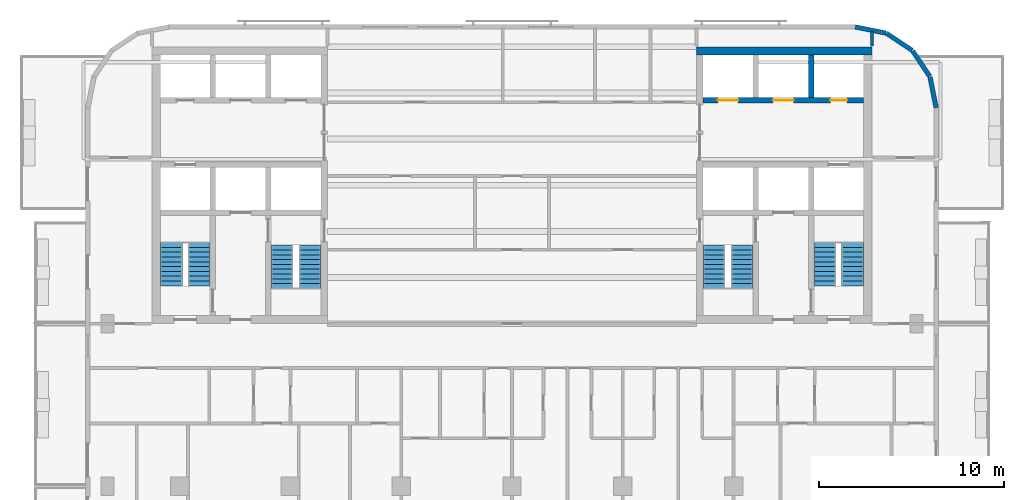
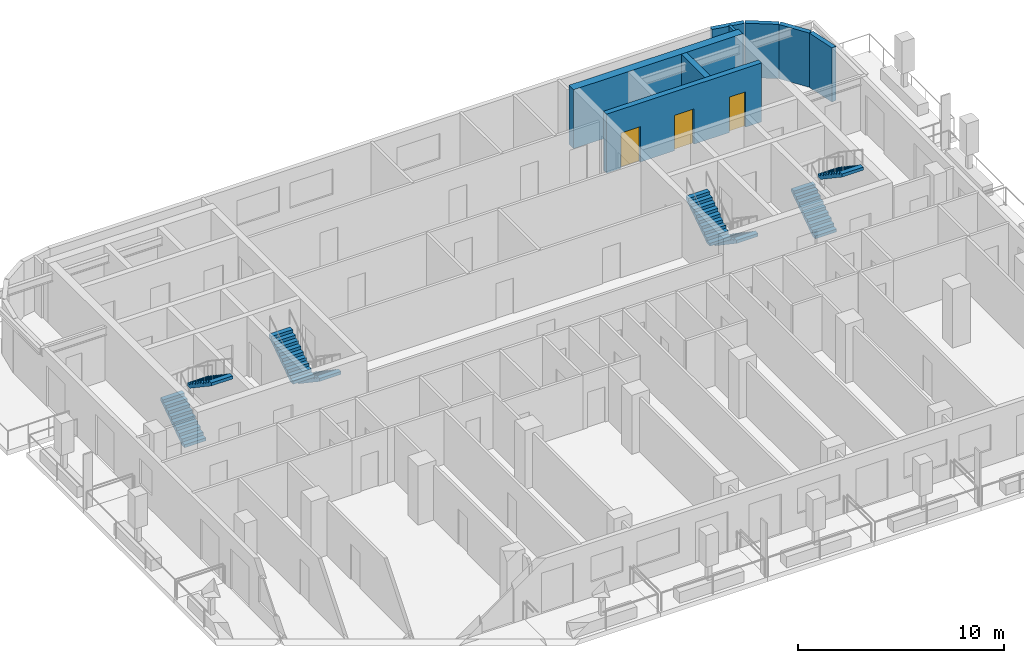
# One storey, part 7 of 11: 8 stair flights, 8 walls, 3 doors, 3 openings, 4 elements without a shape of their own.
"""IFC4 building model written with IfcOpenShell, lengths in metres."""

from ifc_helpers import new_model, si_unit, direction, frame, frame_2d, origin, place, context, subcontext, project, spatial, polyline, rectangle, outline, extrude, material, layer, layer_set, type_object, element, fill, aggregate, save


model = new_model("IFC4")

# Units and contexts
model_context = context("Model", 3, precision=1e-05, world=origin(), true_north=direction((0.0, 1.0)))
body_context = subcontext(model_context, "Body", "Model", "MODEL_VIEW")
ifc_project = project(units=[si_unit("LENGTHUNIT", "METRE"), si_unit("AREAUNIT", "SQUARE_METRE"), si_unit("VOLUMEUNIT", "CUBIC_METRE"), si_unit("PLANEANGLEUNIT", "RADIAN"), si_unit("MASSUNIT", "GRAM", prefix="KILO")], contexts=[model_context])

# Site, building, storey
site_placement = place(None, origin())
site = spatial("IfcSite", under=ifc_project, at=site_placement, CompositionType="ELEMENT")
building_placement = place(site_placement, origin())
building = spatial("IfcBuilding", under=site, at=building_placement, Name="Torana Hotel and Residences", CompositionType="ELEMENT")
storey_placement = place(building_placement, frame((0.0, 0.0, 277.10009765625)))
storey = spatial("IfcBuildingStorey", under=building, at=storey_placement, Name="L73", CompositionType="ELEMENT", Elevation=277.10009765625)

# Wall, openings, doors
ifc_material_1 = material(Name="Concrete C60/75", Category="concrete")
ifc_layer_1 = layer(ifc_material_1, 0.300048828125)
ifc_layer_set_1 = layer_set([ifc_layer_1], Name="CORE WALL 300 C60/75")
wall_type_1 = type_object("IfcWallType", Name="CORE WALL 300 C60/75", PredefinedType="SHEAR", material=ifc_layer_set_1)
wall_1_placement = place(storey_placement, frame((10.35009765625, -2.89990234375, 0.0), z_axis=(0.0, 0.0, 1.0), x_axis=(1.0, 0.0, 0.0)))
wall_1 = element("IfcWall", 1, at=wall_1_placement, inside=storey, type_object=wall_type_1, Name="Core wall E row-N", PredefinedType="SHEAR", context=body_context, shape_type="SweptSolid", body=[
    extrude(rectangle(XDim=8.699951171875, YDim=0.300048828125, at=frame_2d((4.35009765625, 0.0))), origin(), (0.0, 0.0, 1.0), 3.5),
])
opening_1_placement = place(wall_1_placement, frame((0.800048828125, 0.0, 0.0)))
opening_1 = element("IfcOpeningElement", 2, at=opening_1_placement, cuts=wall_1, Name="Opening LD", PredefinedType="OPENING", context=body_context, shape_type="SweptSolid", body=[
    extrude(rectangle(XDim=1.10009765625, YDim=2.10009765625, at=frame_2d((0.550048828125, 1.050048828125))), frame((0.0, 0.159912109375, 0.0), z_axis=(0.0, -1.0, 0.0), x_axis=(1.0, 0.0, 0.0)), (0.0, 0.0, 1.0), 0.320068359375),
])
opening_2_placement = place(wall_1_placement, frame((3.800048828125, 0.0, 0.0)))
opening_2 = element("IfcOpeningElement", 3, at=opening_2_placement, cuts=wall_1, Name="Opening LD", PredefinedType="OPENING", context=body_context, shape_type="SweptSolid", body=[
    extrude(rectangle(XDim=1.10009765625, YDim=2.10009765625, at=frame_2d((0.550048828125, 1.050048828125))), frame((0.0, 0.159912109375, 0.0), z_axis=(0.0, -1.0, 0.0), x_axis=(1.0, 0.0, 0.0)), (0.0, 0.0, 1.0), 0.320068359375),
])
opening_3_placement = place(wall_1_placement, frame((6.89990234375, 0.0, 0.0)))
opening_3 = element("IfcOpeningElement", 4, at=opening_3_placement, cuts=wall_1, Name="Opening L73-14", PredefinedType="OPENING", context=body_context, shape_type="SweptSolid", body=[
    extrude(rectangle(XDim=0.89990234375, YDim=2.10009765625, at=frame_2d((0.449951171875, 1.050048828125))), frame((0.0, 0.159912109375, 0.0), z_axis=(0.0, -1.0, 0.0), x_axis=(1.0, 0.0, 0.0)), (0.0, 0.0, 1.0), 0.320068359375),
])
ifc_material_2 = material(Name="Stainless steel 316", Category="steel")
door_type_1 = type_object("IfcDoorType", Name="LIFT LANDING DOOR LD 1100x2100", OperationType="DOUBLE_DOOR_SLIDING", PredefinedType="USERDEFINED", material=ifc_material_2)
door_1_placement = place(opening_1_placement, origin())
door_1 = element("IfcDoor", 5, at=door_1_placement, inside=storey, type_object=door_type_1, Name="Lift landing door H3 L73", ObjectType="LIFT LANDING DOOR", OperationType="DOUBLE_DOOR_SLIDING", OverallHeight=2.10009765625, OverallWidth=1.10009765625, PredefinedType="USERDEFINED", context=body_context, shape_type="SweptSolid", body=[
    extrude(rectangle(XDim=1.10009765625, YDim=2.10009765625, at=frame_2d((0.550048828125, 1.050048828125))), frame((0.0, 0.02490234375, 0.0), z_axis=(0.0, -1.0, 0.0), x_axis=(1.0, 0.0, 0.0)), (0.0, 0.0, 1.0), 0.050048828125),
])
fill(opening_1, door_1)
door_2_placement = place(opening_2_placement, origin())
door_2 = element("IfcDoor", 6, at=door_2_placement, inside=storey, type_object=door_type_1, Name="Lift landing door H4 L73", ObjectType="LIFT LANDING DOOR", OperationType="DOUBLE_DOOR_SLIDING", OverallHeight=2.10009765625, OverallWidth=1.10009765625, PredefinedType="USERDEFINED", context=body_context, shape_type="SweptSolid", body=[
    extrude(rectangle(XDim=1.10009765625, YDim=2.10009765625, at=frame_2d((0.550048828125, 1.050048828125))), frame((0.0, 0.02490234375, 0.0), z_axis=(0.0, -1.0, 0.0), x_axis=(1.0, 0.0, 0.0)), (0.0, 0.0, 1.0), 0.050048828125),
])
fill(opening_2, door_2)
ifc_material_3 = material(Name="Steel S235", Category="steel")
door_type_2 = type_object("IfcDoorType", Name="RISER ACCESS DOOR D5 900x2100", OperationType="SINGLE_SWING_LEFT", PredefinedType="DOOR", material=ifc_material_3)
door_3_placement = place(opening_3_placement, origin())
door_3 = element("IfcDoor", 7, at=door_3_placement, inside=storey, type_object=door_type_2, Name="N2 door L73", OperationType="SINGLE_SWING_RIGHT", OverallHeight=2.10009765625, OverallWidth=0.89990234375, PredefinedType="DOOR", context=body_context, shape_type="SweptSolid", body=[
    extrude(rectangle(XDim=0.89990234375, YDim=2.10009765625, at=frame_2d((0.449951171875, 1.050048828125))), frame((0.0, 0.02490234375, 0.0), z_axis=(0.0, -1.0, 0.0), x_axis=(1.0, 0.0, 0.0)), (0.0, 0.0, 1.0), 0.050048828125),
])
fill(opening_3, door_3)

# Walls
wall_2_placement = place(storey_placement, frame((16.199951171875, -2.75, 0.0), z_axis=(0.0, 0.0, 1.0), x_axis=(0.0, 1.0, 0.0)))
element("IfcWall", 8, at=wall_2_placement, inside=storey, type_object=wall_type_1, Name="Core wall E x6.05-N", PredefinedType="SHEAR", context=body_context, shape_type="SweptSolid", body=[
    extrude(rectangle(XDim=2.300048828125, YDim=0.300048828125, at=frame_2d((1.14990234375, 0.0))), origin(), (0.0, 0.0, 1.0), 3.5),
])
ifc_material_4 = material(Name="Concrete C60/75", Category="concrete")
ifc_layer_2 = layer(ifc_material_4, 0.449951171875)
ifc_layer_set_2 = layer_set([ifc_layer_2], Name="CORE WALL 450 C60/75")
wall_type_2 = type_object("IfcWallType", Name="CORE WALL 450 C60/75", PredefinedType="SHEAR", material=ifc_layer_set_2)
wall_3_placement = place(storey_placement, frame((10.0, -0.22509765625, 0.0), z_axis=(0.0, 0.0, 1.0), x_axis=(1.0, 0.0, 0.0)))
element("IfcWall", 9, at=wall_3_placement, inside=storey, type_object=wall_type_2, Name="Core wall E rear", PredefinedType="SHEAR", context=body_context, shape_type="SweptSolid", body=[
    extrude(rectangle(XDim=9.5, YDim=0.449951171875, at=frame_2d((4.75, 0.0))), origin(), (0.0, 0.0, 1.0), 3.5),
])
ifc_material_5 = material(Name="Black aluminium composite panel", Category="aluminium")
ifc_layer_3 = layer(ifc_material_5, 0.00390625, Name="Cladding", Category="cladding")
ifc_material_6 = material(Name="Ventilated air cavity")
ifc_layer_4 = layer(ifc_material_6, 0.0400390625, Name="Ventilated cavity", Category="cavity")
ifc_material_7 = material(Name="Mineral wool insulation")
ifc_layer_5 = layer(ifc_material_7, 0.090087890625, Name="Insulation", Category="insulation")
ifc_material_8 = material(Name="Steel S280GD", Category="steel")
ifc_layer_6 = layer(ifc_material_8, 0.092041015625, Name="Steel stud frame", Category="structure")
ifc_material_9 = material(Name="Fire rated plasterboard")
ifc_layer_7 = layer(ifc_material_9, 0.011962890625, Name="Inner board", Category="finish")
ifc_layer_8 = layer(ifc_material_9, 0.011962890625, Name="Second board", Category="finish")
ifc_layer_set_3 = layer_set([ifc_layer_3, ifc_layer_4, ifc_layer_5, ifc_layer_6, ifc_layer_7, ifc_layer_8], Name="EW1 EXTERNAL WALL BLACK METAL CLAD 250")
wall_type_3 = type_object("IfcWallType", Name="EW1 EXTERNAL WALL BLACK METAL CLAD 250", PredefinedType="SOLIDWALL", material=ifc_layer_set_3)
wall_4_placement = place(storey_placement, frame((22.97265625, -3.30029296875, 0.0), z_axis=(0.0, 0.0, 1.0), x_axis=(-0.19513878023, 0.980775640221, 0.0)))
element("IfcWall", 10, at=wall_4_placement, inside=storey, type_object=wall_type_3, Name="External wall L73 e0.0", PredefinedType="SOLIDWALL", context=body_context, shape_type="SweptSolid", body=[
    extrude(rectangle(XDim=1.681396484375, YDim=0.25, at=frame_2d((0.8408203125, 0.0))), origin(), (0.0, 0.0, 1.0), 3.219970703125),
])
for number, where, z_axis, x_axis, name in (
    (11, (22.6259765625, -1.60595703125, 0.0), (0.0, 0.0, 1.0), (-0.55555029066, 0.831482937015, 0.0), "External wall L73 e0.1"),
    (12, (21.671142578125, -0.1943359375, 0.0), (0.0, 0.0, 1.0), (-0.831482937015, 0.55555029066, 0.0), "External wall L73 e0.2"),
):
    element("IfcWall", number, at=place(storey_placement, frame(where, z_axis=z_axis, x_axis=x_axis)), inside=storey, type_object=wall_type_3, Name=name, PredefinedType="SOLIDWALL", context=body_context, shape_type="SweptSolid", body=[
        extrude(rectangle(XDim=1.65625, YDim=0.25, at=frame_2d((0.828125, 0.0))), origin(), (0.0, 0.0, 1.0), 3.219970703125),
    ])
wall_5_placement = place(storey_placement, frame((20.248779296875, 0.74462890625, 0.0), z_axis=(0.0, 0.0, 1.0), x_axis=(-0.980797896849, 0.195026884138, 0.0)))
element("IfcWall", 13, at=wall_5_placement, inside=storey, type_object=wall_type_3, Name="External wall L73 e0.3", PredefinedType="SOLIDWALL", context=body_context, shape_type="SweptSolid", body=[
    extrude(rectangle(XDim=1.68115234375, YDim=0.25, at=frame_2d((0.840576171875, 0.0))), origin(), (0.0, 0.0, 1.0), 3.219970703125),
])
ifc_material_10 = material(Name="Gypsum plasterboard")
ifc_layer_9 = layer(ifc_material_10, 0.012451171875, Name="Plasterboard", Category="finish")
ifc_layer_10 = layer(ifc_material_10, 0.012451171875, Name="Plasterboard", Category="finish")
ifc_layer_11 = layer(ifc_material_8, 0.10009765625, Name="Steel studs with mineral wool", Category="insulation")
ifc_layer_12 = layer(ifc_material_10, 0.012451171875, Name="Plasterboard", Category="finish")
ifc_layer_13 = layer(ifc_material_10, 0.012451171875, Name="Plasterboard", Category="finish")
ifc_layer_set_4 = layer_set([ifc_layer_9, ifc_layer_10, ifc_layer_11, ifc_layer_12, ifc_layer_13], Name="PARTITION 150 PLASTERBOARD")
wall_type_4 = type_object("IfcWallType", Name="PARTITION 150 PLASTERBOARD", PredefinedType="PARTITIONING", material=ifc_layer_set_4)
wall_6_placement = place(storey_placement, frame((19.5, 0.050048828125, 0.0), z_axis=(0.0, 0.0, 1.0), x_axis=(0.0, 1.0, 0.0)))
element("IfcWall", 14, at=wall_6_placement, inside=storey, type_object=wall_type_4, Name="Partition L73", PredefinedType="PARTITIONING", context=body_context, shape_type="SweptSolid", body=[
    extrude(rectangle(XDim=0.787353515625, YDim=0.14990234375, at=frame_2d((0.3935546875, 0.0))), origin(), (0.0, 0.0, 1.0), 3.219970703125),
])

# Stair, stair flights
ifc_material_11 = material(Name="Concrete C40/50 precast", Category="concrete")
stair_type_1 = type_object("IfcStairType", Name="STAIR ST1 HALF TURN 1200", PredefinedType="HALF_TURN_STAIR", material=ifc_material_11)
stair_1_placement = place(storey_placement, origin())
stair_1 = element("IfcStair", 15, at=stair_1_placement, inside=storey, type_object=stair_type_1, Name="Stair ST1 L73", PredefinedType="HALF_TURN_STAIR")
ifc_material_12 = material(Name="Concrete C40/50 precast", Category="concrete")
stair_flight_type = type_object("IfcStairFlightType", Name="STAIR FLIGHT 1200 PRECAST", PredefinedType="STRAIGHT", material=ifc_material_12)
stair_flight_1_placement = place(storey_placement, frame((-10.949951171875, -10.75, 0.0), z_axis=(0.0, 0.0, 1.0), x_axis=(0.0, -1.0, 0.0)))
stair_flight_1 = element("IfcStairFlight", 16, at=stair_flight_1_placement, type_object=stair_flight_type, Name="ST1 flight 1", NumberOfRisers=10, NumberOfTreads=9, PredefinedType="STRAIGHT", RiserHeight=0.175, TreadLength=0.26, context=body_context, shape_type="SweptSolid", body=[
    extrude(outline(polyline([(0.0, 0.0), (0.0, 0.175048828125), (0.260009765625, 0.175048828125), (0.260009765625, 0.35009765625), (0.52001953125, 0.35009765625), (0.52001953125, 0.52490234375), (0.780029296875, 0.52490234375), (0.780029296875, 0.699951171875), (1.0400390625, 0.699951171875), (1.0400390625, 0.875), (1.300048828125, 0.875), (1.300048828125, 1.050048828125), (1.56005859375, 1.050048828125), (1.56005859375, 1.22509765625), (1.820068359375, 1.22509765625), (1.820068359375, 1.39990234375), (2.080078125, 1.39990234375), (2.080078125, 1.574951171875), (2.340087890625, 1.574951171875), (2.340087890625, 1.75), (2.340087890625, 1.394287109375), (0.2685546875, 0.0), (0.0, 0.0)])), frame((0.0, 0.60009765625, 0.0), z_axis=(0.0, -1.0, 0.0), x_axis=(1.0, 0.0, 0.0)), (0.0, 0.0, 1.0), 1.199951171875),
])
stair_flight_2_placement = place(storey_placement, frame((-12.449951171875, -13.090087890625, 1.75), z_axis=(0.0, 0.0, 1.0), x_axis=(0.0, 1.0, 0.0)))
stair_flight_2 = element("IfcStairFlight", 17, at=stair_flight_2_placement, type_object=stair_flight_type, Name="ST1 flight 2", NumberOfRisers=10, NumberOfTreads=9, PredefinedType="STRAIGHT", RiserHeight=0.175, TreadLength=0.26, context=body_context, shape_type="SweptSolid", body=[
    extrude(outline(polyline([(0.0, 0.0), (0.0, 0.175048828125), (0.260009765625, 0.175048828125), (0.260009765625, 0.35009765625), (0.52001953125, 0.35009765625), (0.52001953125, 0.52490234375), (0.780029296875, 0.52490234375), (0.780029296875, 0.699951171875), (1.0400390625, 0.699951171875), (1.0400390625, 0.875), (1.300048828125, 0.875), (1.300048828125, 1.050048828125), (1.56005859375, 1.050048828125), (1.56005859375, 1.22509765625), (1.820068359375, 1.22509765625), (1.820068359375, 1.39990234375), (2.080078125, 1.39990234375), (2.080078125, 1.574951171875), (2.340087890625, 1.574951171875), (2.340087890625, 1.75), (2.340087890625, 1.394287109375), (0.2685546875, 0.0), (0.0, 0.0)])), frame((0.0, 0.60009765625, 0.0), z_axis=(0.0, -1.0, 0.0), x_axis=(1.0, 0.0, 0.0)), (0.0, 0.0, 1.0), 1.199951171875),
])
aggregate(stair_1, [stair_flight_1, stair_flight_2])

ifc_material_13 = material(Name="Concrete C40/50 precast", Category="concrete")
stair_type_2 = type_object("IfcStairType", Name="STAIR ST2 HALF TURN 1200", PredefinedType="HALF_TURN_STAIR", material=ifc_material_13)
stair_2_placement = place(storey_placement, origin())
stair_2 = element("IfcStair", 18, at=stair_2_placement, inside=storey, type_object=stair_type_2, Name="Stair ST2 L73", PredefinedType="HALF_TURN_STAIR")
stair_flight_3_placement = place(storey_placement, frame((-18.449951171875, -12.949951171875, 0.0), z_axis=(0.0, 0.0, 1.0), x_axis=(0.0, 1.0, 0.0)))
stair_flight_3 = element("IfcStairFlight", 19, at=stair_flight_3_placement, type_object=stair_flight_type, Name="ST2 flight 1", NumberOfRisers=10, NumberOfTreads=9, PredefinedType="STRAIGHT", RiserHeight=0.175, TreadLength=0.26, context=body_context, shape_type="SweptSolid", body=[
    extrude(outline(polyline([(0.0, 0.0), (0.0, 0.175048828125), (0.260009765625, 0.175048828125), (0.260009765625, 0.35009765625), (0.52001953125, 0.35009765625), (0.52001953125, 0.52490234375), (0.780029296875, 0.52490234375), (0.780029296875, 0.699951171875), (1.0400390625, 0.699951171875), (1.0400390625, 0.875), (1.300048828125, 0.875), (1.300048828125, 1.050048828125), (1.56005859375, 1.050048828125), (1.56005859375, 1.22509765625), (1.820068359375, 1.22509765625), (1.820068359375, 1.39990234375), (2.080078125, 1.39990234375), (2.080078125, 1.574951171875), (2.340087890625, 1.574951171875), (2.340087890625, 1.75), (2.340087890625, 1.394287109375), (0.2685546875, 0.0), (0.0, 0.0)])), frame((0.0, 0.60009765625, 0.0), z_axis=(0.0, -1.0, 0.0), x_axis=(1.0, 0.0, 0.0)), (0.0, 0.0, 1.0), 1.199951171875),
])
stair_flight_4_placement = place(storey_placement, frame((-16.949951171875, -10.610107421875, 1.75), z_axis=(0.0, 0.0, 1.0), x_axis=(0.0, -1.0, 0.0)))
stair_flight_4 = element("IfcStairFlight", 20, at=stair_flight_4_placement, type_object=stair_flight_type, Name="ST2 flight 2", NumberOfRisers=10, NumberOfTreads=9, PredefinedType="STRAIGHT", RiserHeight=0.175, TreadLength=0.26, context=body_context, shape_type="SweptSolid", body=[
    extrude(outline(polyline([(0.0, 0.0), (0.0, 0.175048828125), (0.260009765625, 0.175048828125), (0.260009765625, 0.35009765625), (0.52001953125, 0.35009765625), (0.52001953125, 0.52490234375), (0.780029296875, 0.52490234375), (0.780029296875, 0.699951171875), (1.0400390625, 0.699951171875), (1.0400390625, 0.875), (1.300048828125, 0.875), (1.300048828125, 1.050048828125), (1.56005859375, 1.050048828125), (1.56005859375, 1.22509765625), (1.820068359375, 1.22509765625), (1.820068359375, 1.39990234375), (2.080078125, 1.39990234375), (2.080078125, 1.574951171875), (2.340087890625, 1.574951171875), (2.340087890625, 1.75), (2.340087890625, 1.394287109375), (0.2685546875, 0.0), (0.0, 0.0)])), frame((0.0, 0.60009765625, 0.0), z_axis=(0.0, -1.0, 0.0), x_axis=(1.0, 0.0, 0.0)), (0.0, 0.0, 1.0), 1.199951171875),
])
aggregate(stair_2, [stair_flight_3, stair_flight_4])

ifc_material_14 = material(Name="Concrete C40/50 precast", Category="concrete")
stair_type_3 = type_object("IfcStairType", Name="STAIR ST3 HALF TURN 1200", PredefinedType="HALF_TURN_STAIR", material=ifc_material_14)
stair_3_placement = place(storey_placement, origin())
stair_3 = element("IfcStair", 21, at=stair_3_placement, inside=storey, type_object=stair_type_3, Name="Stair ST3 L73", PredefinedType="HALF_TURN_STAIR")
stair_flight_5_placement = place(storey_placement, frame((12.449951171875, -10.75, 0.0), z_axis=(0.0, 0.0, 1.0), x_axis=(0.0, -1.0, 0.0)))
stair_flight_5 = element("IfcStairFlight", 22, at=stair_flight_5_placement, type_object=stair_flight_type, Name="ST3 flight 1", NumberOfRisers=10, NumberOfTreads=9, PredefinedType="STRAIGHT", RiserHeight=0.175, TreadLength=0.26, context=body_context, shape_type="SweptSolid", body=[
    extrude(outline(polyline([(0.0, 0.0), (0.0, 0.175048828125), (0.260009765625, 0.175048828125), (0.260009765625, 0.35009765625), (0.52001953125, 0.35009765625), (0.52001953125, 0.52490234375), (0.780029296875, 0.52490234375), (0.780029296875, 0.699951171875), (1.0400390625, 0.699951171875), (1.0400390625, 0.875), (1.300048828125, 0.875), (1.300048828125, 1.050048828125), (1.56005859375, 1.050048828125), (1.56005859375, 1.22509765625), (1.820068359375, 1.22509765625), (1.820068359375, 1.39990234375), (2.080078125, 1.39990234375), (2.080078125, 1.574951171875), (2.340087890625, 1.574951171875), (2.340087890625, 1.75), (2.340087890625, 1.394287109375), (0.2685546875, 0.0), (0.0, 0.0)])), frame((0.0, 0.60009765625, 0.0), z_axis=(0.0, -1.0, 0.0), x_axis=(1.0, 0.0, 0.0)), (0.0, 0.0, 1.0), 1.199951171875),
])
stair_flight_6_placement = place(storey_placement, frame((10.949951171875, -13.090087890625, 1.75), z_axis=(0.0, 0.0, 1.0), x_axis=(0.0, 1.0, 0.0)))
stair_flight_6 = element("IfcStairFlight", 23, at=stair_flight_6_placement, type_object=stair_flight_type, Name="ST3 flight 2", NumberOfRisers=10, NumberOfTreads=9, PredefinedType="STRAIGHT", RiserHeight=0.175, TreadLength=0.26, context=body_context, shape_type="SweptSolid", body=[
    extrude(outline(polyline([(0.0, 0.0), (0.0, 0.175048828125), (0.260009765625, 0.175048828125), (0.260009765625, 0.35009765625), (0.52001953125, 0.35009765625), (0.52001953125, 0.52490234375), (0.780029296875, 0.52490234375), (0.780029296875, 0.699951171875), (1.0400390625, 0.699951171875), (1.0400390625, 0.875), (1.300048828125, 0.875), (1.300048828125, 1.050048828125), (1.56005859375, 1.050048828125), (1.56005859375, 1.22509765625), (1.820068359375, 1.22509765625), (1.820068359375, 1.39990234375), (2.080078125, 1.39990234375), (2.080078125, 1.574951171875), (2.340087890625, 1.574951171875), (2.340087890625, 1.75), (2.340087890625, 1.394287109375), (0.2685546875, 0.0), (0.0, 0.0)])), frame((0.0, 0.60009765625, 0.0), z_axis=(0.0, -1.0, 0.0), x_axis=(1.0, 0.0, 0.0)), (0.0, 0.0, 1.0), 1.199951171875),
])
aggregate(stair_3, [stair_flight_5, stair_flight_6])

ifc_material_15 = material(Name="Concrete C40/50 precast", Category="concrete")
stair_type_4 = type_object("IfcStairType", Name="STAIR ST4 HALF TURN 1200", PredefinedType="HALF_TURN_STAIR", material=ifc_material_15)
stair_4_placement = place(storey_placement, origin())
stair_4 = element("IfcStair", 24, at=stair_4_placement, inside=storey, type_object=stair_type_4, Name="Stair ST4 L73", PredefinedType="HALF_TURN_STAIR")
stair_flight_7_placement = place(storey_placement, frame((16.949951171875, -12.949951171875, 0.0), z_axis=(0.0, 0.0, 1.0), x_axis=(0.0, 1.0, 0.0)))
stair_flight_7 = element("IfcStairFlight", 25, at=stair_flight_7_placement, type_object=stair_flight_type, Name="ST4 flight 1", NumberOfRisers=10, NumberOfTreads=9, PredefinedType="STRAIGHT", RiserHeight=0.175, TreadLength=0.26, context=body_context, shape_type="SweptSolid", body=[
    extrude(outline(polyline([(0.0, 0.0), (0.0, 0.175048828125), (0.260009765625, 0.175048828125), (0.260009765625, 0.35009765625), (0.52001953125, 0.35009765625), (0.52001953125, 0.52490234375), (0.780029296875, 0.52490234375), (0.780029296875, 0.699951171875), (1.0400390625, 0.699951171875), (1.0400390625, 0.875), (1.300048828125, 0.875), (1.300048828125, 1.050048828125), (1.56005859375, 1.050048828125), (1.56005859375, 1.22509765625), (1.820068359375, 1.22509765625), (1.820068359375, 1.39990234375), (2.080078125, 1.39990234375), (2.080078125, 1.574951171875), (2.340087890625, 1.574951171875), (2.340087890625, 1.75), (2.340087890625, 1.394287109375), (0.2685546875, 0.0), (0.0, 0.0)])), frame((0.0, 0.60009765625, 0.0), z_axis=(0.0, -1.0, 0.0), x_axis=(1.0, 0.0, 0.0)), (0.0, 0.0, 1.0), 1.199951171875),
])
stair_flight_8_placement = place(storey_placement, frame((18.449951171875, -10.610107421875, 1.75), z_axis=(0.0, 0.0, 1.0), x_axis=(0.0, -1.0, 0.0)))
stair_flight_8 = element("IfcStairFlight", 26, at=stair_flight_8_placement, type_object=stair_flight_type, Name="ST4 flight 2", NumberOfRisers=10, NumberOfTreads=9, PredefinedType="STRAIGHT", RiserHeight=0.175, TreadLength=0.26, context=body_context, shape_type="SweptSolid", body=[
    extrude(outline(polyline([(0.0, 0.0), (0.0, 0.175048828125), (0.260009765625, 0.175048828125), (0.260009765625, 0.35009765625), (0.52001953125, 0.35009765625), (0.52001953125, 0.52490234375), (0.780029296875, 0.52490234375), (0.780029296875, 0.699951171875), (1.0400390625, 0.699951171875), (1.0400390625, 0.875), (1.300048828125, 0.875), (1.300048828125, 1.050048828125), (1.56005859375, 1.050048828125), (1.56005859375, 1.22509765625), (1.820068359375, 1.22509765625), (1.820068359375, 1.39990234375), (2.080078125, 1.39990234375), (2.080078125, 1.574951171875), (2.340087890625, 1.574951171875), (2.340087890625, 1.75), (2.340087890625, 1.394287109375), (0.2685546875, 0.0), (0.0, 0.0)])), frame((0.0, 0.60009765625, 0.0), z_axis=(0.0, -1.0, 0.0), x_axis=(1.0, 0.0, 0.0)), (0.0, 0.0, 1.0), 1.199951171875),
])
aggregate(stair_4, [stair_flight_7, stair_flight_8])

save(model, "model.ifc")
